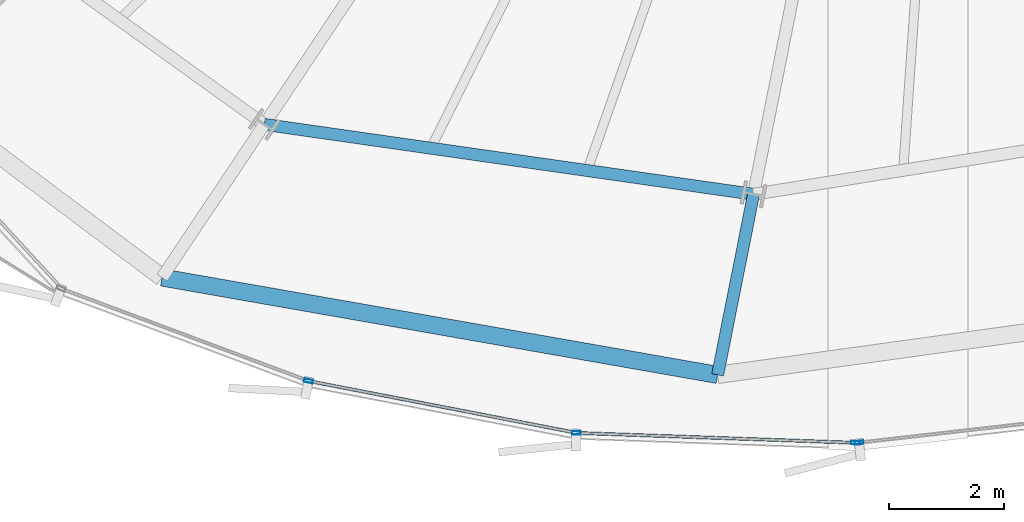
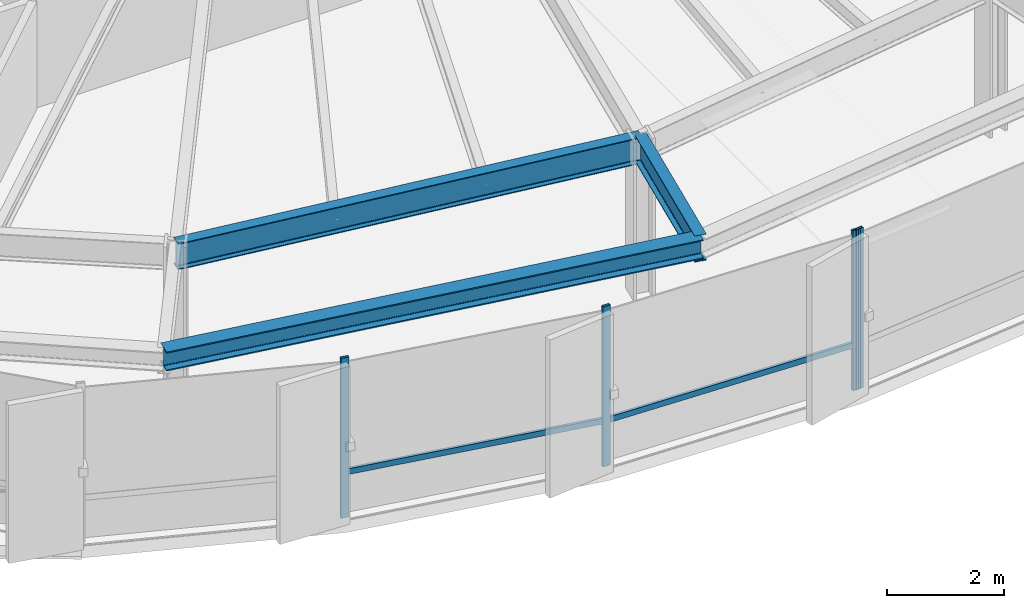
# One storey, part 5 of 33: 6 members, 3 beams, 2 elements without a shape of their own.
"""IFC4 building model written with IfcOpenShell, lengths in metres."""

from ifc_helpers import new_model, si_unit, direction, frame, origin, origin_2d, place, context, subcontext, project, spatial, hollow_rectangle, i_section, extrude, source, transform, mapped, material, layer, layer_set, material_profile, profile_set, type_object, element, aggregate, save


model = new_model("IFC4")

# Units and contexts
model_context = context("Model", 3, precision=1e-05, world=origin(), true_north=direction((0.0, 1.0)))
body_context = subcontext(model_context, "Body", "Model", "MODEL_VIEW")
ifc_project = project(units=[si_unit("LENGTHUNIT", "METRE"), si_unit("AREAUNIT", "SQUARE_METRE"), si_unit("VOLUMEUNIT", "CUBIC_METRE"), si_unit("PLANEANGLEUNIT", "RADIAN"), si_unit("MASSUNIT", "GRAM", prefix="KILO"), si_unit("THERMODYNAMICTEMPERATUREUNIT", "KELVIN")], contexts=[model_context])

# Site, building, storey
site_placement = place(None, origin())
site = spatial("IfcSite", under=ifc_project, at=site_placement, CompositionType="ELEMENT")
building_placement = place(site_placement, origin())
building = spatial("IfcBuilding", under=site, at=building_placement, Name="Kethvar Cultural Tower", CompositionType="ELEMENT")
storey_placement = place(building_placement, frame((0.0, 0.0, 110.800048828125)))
storey = spatial("IfcBuildingStorey", under=building, at=storey_placement, Name="L27", CompositionType="ELEMENT", Elevation=110.800048828125)

# Beams
ifc_material_1 = material(Name="Steel S355J2", Category="steel")
ifc_material_profile_1 = material_profile(ifc_material_1, i_section(OverallWidth=0.2099609375, OverallDepth=0.550048828125, WebThickness=0.010986328125, FlangeThickness=0.01708984375, FilletRadius=0.02392578125, at=origin_2d()), Name="Steel S355J2 — IPE550")
ifc_profile_set_1 = profile_set([ifc_material_profile_1], Name="Steel S355J2 — IPE550")
beam_type_1 = type_object("IfcBeamType", Name="BM-IPE550", PredefinedType="BEAM", material=ifc_profile_set_1)
shared_shape_1 = source(origin(), body_context, "Body", "SweptSolid", [
    extrude(i_section(OverallWidth=0.2099609375, OverallDepth=0.550048828125, WebThickness=0.010986328125, FlangeThickness=0.01708984375, FilletRadius=0.02392578125, at=origin_2d()), origin(), (0.0, 0.0, 1.0), 3.2001953125),
])
beam_1_placement = place(storey_placement, frame((42.852294921875, 7.95361328125, 3.072998046875), z_axis=(-0.195074368086, -0.980788453702, 0.0), x_axis=(0.980788453702, -0.195074368086, 0.0)))
element("IfcBeam", 1, at=beam_1_placement, inside=storey, type_object=beam_type_1, Name="L27 Perimeter Cantilever Beam RC-12", PredefinedType="BEAM", context=body_context, shape_type="MappedRepresentation", body=[
    mapped(shared_shape_1, transform((0.0, 0.0, 0.0), scale=1.0)),
])
shared_shape_2 = source(origin(), body_context, "Body", "SweptSolid", [
    extrude(i_section(OverallWidth=0.2099609375, OverallDepth=0.550048828125, WebThickness=0.010986328125, FlangeThickness=0.01708984375, FilletRadius=0.02392578125, at=origin_2d()), origin(), (0.0, 0.0, 1.0), 8.587890625),
])
beam_2_placement = place(storey_placement, frame((34.350830078125, 9.16845703125, 3.072998046875), z_axis=(0.989943807123, -0.141461156288, 0.0), x_axis=(0.141461156288, 0.989943807123, 0.0)))
element("IfcBeam", 2, at=beam_2_placement, inside=storey, type_object=beam_type_1, Name="L27 Column Ring Tie Beam CR-11", PredefinedType="BEAM", context=body_context, shape_type="MappedRepresentation", body=[
    mapped(shared_shape_2, transform((0.0, 0.0, 0.0), scale=1.0)),
])
ifc_material_profile_2 = material_profile(ifc_material_1, i_section(OverallWidth=0.300048828125, OverallDepth=0.39990234375, WebThickness=0.013427734375, FlangeThickness=0.02392578125, FilletRadius=0.027099609375, at=origin_2d()), Name="Steel S355J2 — HEB400")
ifc_profile_set_2 = profile_set([ifc_material_profile_2], Name="Steel S355J2 — HEB400")
beam_type_2 = type_object("IfcBeamType", Name="BM-SP400", PredefinedType="SPANDREL", material=ifc_profile_set_2)
shared_shape_3 = source(origin(), body_context, "Body", "SweptSolid", [
    extrude(i_section(OverallWidth=0.300048828125, OverallDepth=0.39990234375, WebThickness=0.013427734375, FlangeThickness=0.02392578125, FilletRadius=0.027099609375, at=origin_2d()), origin(), (0.0, 0.0, 1.0), 9.80224609375),
])
beam_3_placement = place(storey_placement, frame((32.572998046875, 6.5078125, 3.14794921875), z_axis=(0.984974273513, -0.172701130618, 0.0), x_axis=(0.172701130618, 0.984974273513, 0.0)))
element("IfcBeam", 3, at=beam_3_placement, inside=storey, type_object=beam_type_2, Name="L27 Perimeter Spandrel Beam SP-11", PredefinedType="SPANDREL", context=body_context, shape_type="MappedRepresentation", body=[
    mapped(shared_shape_3, transform((0.0, 0.0, 0.0), scale=1.0)),
])

# Curtain wall, members
ifc_material_2 = material(Name="Aluminium 6063-T6", Category="aluminium")
ifc_layer = layer(ifc_material_2, 0.179931640625, Name="Aluminium 6063-T6", Category="aluminium")
ifc_layer_set = layer_set([ifc_layer], Name="Aluminium 6063-T6 (180 mm)")
curtain_wall_type = type_object("IfcCurtainWallType", Name="CW-SYS-03-Z2", PredefinedType="NOTDEFINED", material=ifc_layer_set)
curtain_wall_1_placement = place(storey_placement, origin())
curtain_wall_1 = element("IfcCurtainWall", 4, at=curtain_wall_1_placement, inside=storey, type_object=curtain_wall_type, Name="L27 Curtain Wall Run 04", PredefinedType="NOTDEFINED")
ifc_material_profile_3 = material_profile(ifc_material_2, hollow_rectangle(XDim=0.06005859375, YDim=0.14990234375, WallThickness=0.0048828125, at=origin_2d()), Name="Aluminium 6063-T6 — RHS150x60x5")
ifc_profile_set_3 = profile_set([ifc_material_profile_3], Name="Aluminium 6063-T6 — RHS150x60x5")
member_type_1 = type_object("IfcMemberType", Name="CW-SYS-03-Z2-MUL", PredefinedType="MULLION", material=ifc_profile_set_3)
shared_shape_4 = source(origin(), body_context, "Body", "SweptSolid", [
    extrude(hollow_rectangle(XDim=0.06005859375, YDim=0.14990234375, WallThickness=0.0048828125, at=origin_2d()), origin(), (0.0, 0.0, 1.0), 3.349853515625),
])
member_1_placement = place(storey_placement, frame((35.1171875, 4.708984375, 0.0), z_axis=(0.0, 0.0, 1.0), x_axis=(0.190072238776, 0.981770107534, 0.0)))
member_1 = element("IfcMember", 5, at=member_1_placement, type_object=member_type_1, Name="CW-L27-R04 Mullion 5", PredefinedType="MULLION", context=body_context, shape_type="MappedRepresentation", body=[
    mapped(shared_shape_4, transform((0.0, 0.0, 0.0), scale=1.0)),
])
member_2_placement = place(storey_placement, frame((39.774169921875, 3.80615234375, 0.0), z_axis=(0.0, 0.0, 1.0), x_axis=(0.035248347778, 0.99937858391, 0.0)))
member_2 = element("IfcMember", 6, at=member_2_placement, type_object=member_type_1, Name="CW-L27-R04 Mullion 6", PredefinedType="MULLION", context=body_context, shape_type="MappedRepresentation", body=[
    mapped(shared_shape_4, transform((0.0, 0.0, 0.0), scale=1.0)),
])
member_3_placement = place(storey_placement, frame((44.623291015625, 3.635009765625, 0.0), z_axis=(0.0, 0.0, 1.0), x_axis=(0.035248347778, 0.99937858391, 0.0)))
member_3 = element("IfcMember", 7, at=member_3_placement, type_object=member_type_1, Name="CW-L27-R04 Mullion 7", PredefinedType="MULLION", context=body_context, shape_type="MappedRepresentation", body=[
    mapped(shared_shape_4, transform((0.0, 0.0, 0.0), scale=1.0)),
])

# Curtain wall, member
curtain_wall_2_placement = place(storey_placement, origin())
curtain_wall_2 = element("IfcCurtainWall", 8, at=curtain_wall_2_placement, inside=storey, type_object=curtain_wall_type, Name="L27 Curtain Wall Run 05", PredefinedType="NOTDEFINED")
member_4_placement = place(storey_placement, frame((44.68408203125, 3.637451171875, 0.0), z_axis=(0.0, 0.0, 1.0), x_axis=(-0.113393963783, 0.993550103909, 0.0)))
member_4 = element("IfcMember", 9, at=member_4_placement, type_object=member_type_1, Name="CW-L27-R05 Mullion 1", PredefinedType="MULLION", context=body_context, shape_type="MappedRepresentation", body=[
    mapped(shared_shape_4, transform((0.0, 0.0, 0.0), scale=1.0)),
])
aggregate(curtain_wall_2, [member_4])

# Member
ifc_material_profile_4 = material_profile(ifc_material_2, hollow_rectangle(XDim=0.054931640625, YDim=0.1201171875, WallThickness=0.00390625, at=origin_2d()), Name="Aluminium 6063-T6 — RHS120x55x4")
ifc_profile_set_4 = profile_set([ifc_material_profile_4], Name="Aluminium 6063-T6 — RHS120x55x4")
member_type_2 = type_object("IfcMemberType", Name="CW-SYS-03-Z2-TRN", PredefinedType="USERDEFINED", material=ifc_profile_set_4)
shared_shape_5 = source(origin(), body_context, "Body", "SweptSolid", [
    extrude(hollow_rectangle(XDim=0.054931640625, YDim=0.1201171875, WallThickness=0.00390625, at=origin_2d()), origin(), (0.0, 0.0, 1.0), 4.675048828125),
])
member_5_placement = place(storey_placement, frame((35.15966796875, 4.700927734375, 0.949951171875), z_axis=(0.98176727753, -0.190086855862, 0.0), x_axis=(0.190086855862, 0.98176727753, 0.0)))
member_5 = element("IfcMember", 10, at=member_5_placement, type_object=member_type_2, Name="CW-L27-R04 Transom 5", ObjectType="TRANSOM", PredefinedType="USERDEFINED", context=body_context, shape_type="MappedRepresentation", body=[
    mapped(shared_shape_5, transform((0.0, 0.0, 0.0), scale=1.0)),
])

shared_shape_6 = source(origin(), body_context, "Body", "SweptSolid", [
    extrude(hollow_rectangle(XDim=0.054931640625, YDim=0.1201171875, WallThickness=0.00390625, at=origin_2d()), origin(), (0.0, 0.0, 1.0), 4.8046875),
])
member_6_placement = place(storey_placement, frame((39.8173828125, 3.8046875, 0.949951171875), z_axis=(0.999378038893, -0.035263796979, 0.0), x_axis=(0.035263796979, 0.999378038893, 0.0)))
member_6 = element("IfcMember", 11, at=member_6_placement, type_object=member_type_2, Name="CW-L27-R04 Transom 6", ObjectType="TRANSOM", PredefinedType="USERDEFINED", context=body_context, shape_type="MappedRepresentation", body=[
    mapped(shared_shape_6, transform((0.0, 0.0, 0.0), scale=1.0)),
])

aggregate(curtain_wall_1, [member_1, member_2, member_3, member_5, member_6])

save(model, "model.ifc")
